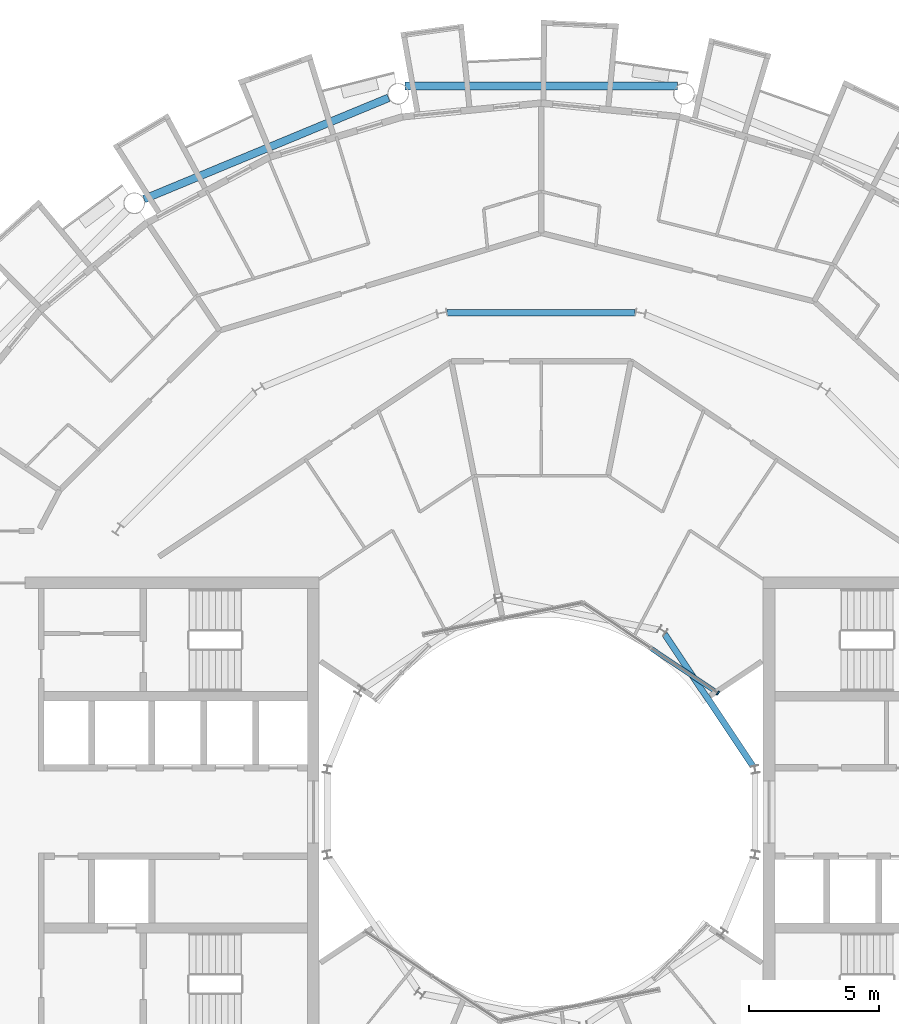
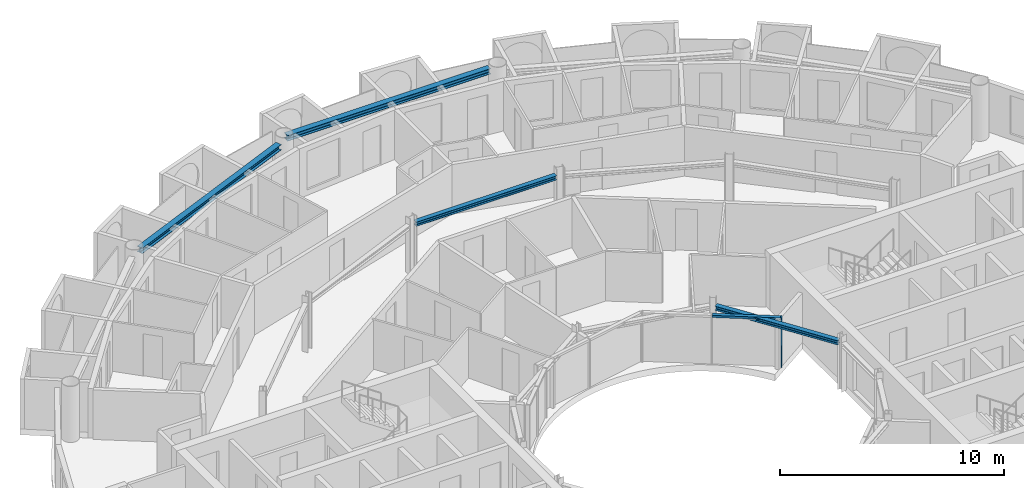
# One storey, part 10 of 28: 4 beams, 2 members, 1 element without a shape of its own.
"""IFC4 building model written with IfcOpenShell, lengths in metres."""

from ifc_helpers import new_model, si_unit, direction, frame, origin, origin_2d, place, context, subcontext, project, spatial, rectangle, i_section, extrude, material, layer, layer_set, material_profile, profile_set, type_object, element, aggregate, save


model = new_model("IFC4")

# Units and contexts
model_context = context("Model", 3, precision=1e-05, world=origin(), true_north=direction((0.0, 1.0)))
body_context = subcontext(model_context, "Body", "Model", "MODEL_VIEW")
ifc_project = project(units=[si_unit("LENGTHUNIT", "METRE"), si_unit("AREAUNIT", "SQUARE_METRE"), si_unit("VOLUMEUNIT", "CUBIC_METRE"), si_unit("PLANEANGLEUNIT", "RADIAN"), si_unit("MASSUNIT", "GRAM", prefix="KILO")], contexts=[model_context])

# Site, building, storey
site_placement = place(None, origin())
site = spatial("IfcSite", under=ifc_project, at=site_placement, CompositionType="ELEMENT")
building_placement = place(site_placement, origin())
building = spatial("IfcBuilding", under=site, at=building_placement, Name="Maasbend Ring Residences", CompositionType="ELEMENT")
storey_placement = place(building_placement, frame((0.0, 0.0, 196.300048828125)))
storey = spatial("IfcBuildingStorey", under=building, at=storey_placement, Name="L56", CompositionType="ELEMENT", Elevation=196.300048828125)

# Curtain wall, members
ifc_material_1 = material(Name="Aluminium and clear glass", Category="aluminium")
ifc_layer = layer(ifc_material_1, 0.179931640625)
ifc_layer_set = layer_set([ifc_layer], Name="CW-W")
curtain_wall_type = type_object("IfcCurtainWallType", Name="CW-W", PredefinedType="NOTDEFINED", material=ifc_layer_set)
curtain_wall_placement = place(storey_placement, origin())
curtain_wall = element("IfcCurtainWall", 1, at=curtain_wall_placement, inside=storey, type_object=curtain_wall_type, Name="Well curtain wall N1", PredefinedType="NOTDEFINED")
ifc_material_2 = material(Name="Aluminium 6063-T6", Category="aluminium")
ifc_material_profile_1 = material_profile(ifc_material_2, rectangle(XDim=0.179931640625, YDim=0.06005859375, at=origin_2d()), Name="AL 180x60")
ifc_profile_set_1 = profile_set([ifc_material_profile_1], Name="Aluminium 6063-T6")
member_type_1 = type_object("IfcMemberType", Name="CWM-W", PredefinedType="MULLION", material=ifc_profile_set_1)
member_1_placement = place(storey_placement, frame((6.805908203125, 4.580810546875, 0.0), z_axis=(0.0, 0.0, 1.0), x_axis=(-0.55557023302, -0.831469612303, 0.0)))
member_1 = element("IfcMember", 2, at=member_1_placement, type_object=member_type_1, Name="Mullion well face", PredefinedType="MULLION", context=body_context, shape_type="SweptSolid", body=[
    extrude(rectangle(XDim=0.179931640625, YDim=0.06005859375, at=origin_2d()), origin(), (0.0, 0.0, 1.0), 2.699951171875),
])
ifc_material_3 = material(Name="Aluminium 6063-T6", Category="aluminium")
ifc_material_profile_2 = material_profile(ifc_material_3, rectangle(XDim=0.179931640625, YDim=0.1201171875, at=origin_2d()), Name="AL 180x120")
ifc_profile_set_2 = profile_set([ifc_material_profile_2], Name="Aluminium 6063-T6")
member_type_2 = type_object("IfcMemberType", Name="CWT-W", PredefinedType="USERDEFINED", material=ifc_profile_set_2)
member_2_placement = place(storey_placement, frame((6.781005859375, 4.59765625, 2.639892578125), z_axis=(-0.831496422459, 0.555530106689, 0.0), x_axis=(-0.555530106689, -0.831496422459, 0.0)))
member_2 = element("IfcMember", 3, at=member_2_placement, type_object=member_type_2, Name="Transom well face", ObjectType="TRANSOM", PredefinedType="USERDEFINED", context=body_context, shape_type="SweptSolid", body=[
    extrude(rectangle(XDim=0.179931640625, YDim=0.1201171875, at=origin_2d()), origin(), (0.0, 0.0, 1.0), 3.053955078125),
])
aggregate(curtain_wall, [member_1, member_2])

# Beams
ifc_material_4 = material(Name="Steel S355J2", Category="steel")
ifc_material_profile_3 = material_profile(ifc_material_4, i_section(OverallWidth=0.239990234375, OverallDepth=0.22998046875, WebThickness=0.007568359375, FlangeThickness=0.011962890625, FilletRadius=0.02099609375, at=origin_2d()), Name="HEA 240")
ifc_profile_set_3 = profile_set([ifc_material_profile_3], Name="Steel S355J2")
beam_type_1 = type_object("IfcBeamType", Name="Corridor ring beam HEA 240", PredefinedType="BEAM", material=ifc_profile_set_3)
beam_1_placement = place(storey_placement, frame((3.619873046875, 19.223388671875, 2.5849609375), z_axis=(-1.0, 0.0, 0.0), x_axis=(0.0, -1.0, 0.0)))
element("IfcBeam", 4, at=beam_1_placement, inside=storey, type_object=beam_type_1, Name="Corridor ring beam", PredefinedType="BEAM", context=body_context, shape_type="SweptSolid", body=[
    extrude(i_section(OverallWidth=0.239990234375, OverallDepth=0.22998046875, WebThickness=0.007568359375, FlangeThickness=0.011962890625, FilletRadius=0.02099609375, at=origin_2d()), origin(), (0.0, 0.0, 1.0), 7.23974609375),
])
ifc_material_5 = material(Name="Steel S355J2", Category="steel")
ifc_material_profile_4 = material_profile(ifc_material_5, i_section(OverallWidth=0.300048828125, OverallDepth=0.300048828125, WebThickness=0.010986328125, FlangeThickness=0.01904296875, FilletRadius=0.027099609375, at=origin_2d()), Name="HEB 300")
ifc_profile_set_4 = profile_set([ifc_material_profile_4], Name="Steel S355J2")
beam_type_2 = type_object("IfcBeamType", Name="Spandrel ring beam HEB 300", PredefinedType="SPANDREL", material=ifc_profile_set_4)
beam_2_placement = place(storey_placement, frame((5.2451171875, 27.9580078125, 2.550048828125), z_axis=(-1.0, 0.0, 0.0), x_axis=(0.0, -1.0, 0.0)))
element("IfcBeam", 5, at=beam_2_placement, inside=storey, type_object=beam_type_2, Name="Spandrel ring beam", PredefinedType="SPANDREL", context=body_context, shape_type="SweptSolid", body=[
    extrude(i_section(OverallWidth=0.300048828125, OverallDepth=0.300048828125, WebThickness=0.010986328125, FlangeThickness=0.01904296875, FilletRadius=0.027099609375, at=origin_2d()), origin(), (0.0, 0.0, 1.0), 10.490234375),
])
beam_3_placement = place(storey_placement, frame((-5.877197265625, 27.50244140625, 2.550048828125), z_axis=(-0.923883676188, -0.382673428492, 0.0), x_axis=(0.382673428492, -0.923883676188, 0.0)))
element("IfcBeam", 6, at=beam_3_placement, inside=storey, type_object=beam_type_2, Name="Spandrel ring beam", PredefinedType="SPANDREL", context=body_context, shape_type="SweptSolid", body=[
    extrude(i_section(OverallWidth=0.300048828125, OverallDepth=0.300048828125, WebThickness=0.010986328125, FlangeThickness=0.01904296875, FilletRadius=0.027099609375, at=origin_2d()), origin(), (0.0, 0.0, 1.0), 10.18994140625),
])
ifc_material_6 = material(Name="Steel S355J2", Category="steel")
ifc_material_profile_5 = material_profile(ifc_material_6, i_section(OverallWidth=0.239990234375, OverallDepth=0.22998046875, WebThickness=0.007568359375, FlangeThickness=0.011962890625, FilletRadius=0.02099609375, at=origin_2d()), Name="HEA 240")
ifc_profile_set_5 = profile_set([ifc_material_profile_5], Name="Steel S355J2")
beam_type_3 = type_object("IfcBeamType", Name="Well edge beam HEA 240", PredefinedType="BEAM", material=ifc_profile_set_5)
beam_4_placement = place(storey_placement, frame((8.1513671875, 1.769287109375, 2.5849609375), z_axis=(-0.555584356119, 0.831460175376, 0.0), x_axis=(-0.831460175376, -0.555584356119, 0.0)))
element("IfcBeam", 7, at=beam_4_placement, inside=storey, type_object=beam_type_3, Name="Well edge beam", PredefinedType="BEAM", context=body_context, shape_type="SweptSolid", body=[
    extrude(i_section(OverallWidth=0.239990234375, OverallDepth=0.22998046875, WebThickness=0.007568359375, FlangeThickness=0.011962890625, FilletRadius=0.02099609375, at=origin_2d()), origin(), (0.0, 0.0, 1.0), 6.115234375),
])

save(model, "model.ifc")
